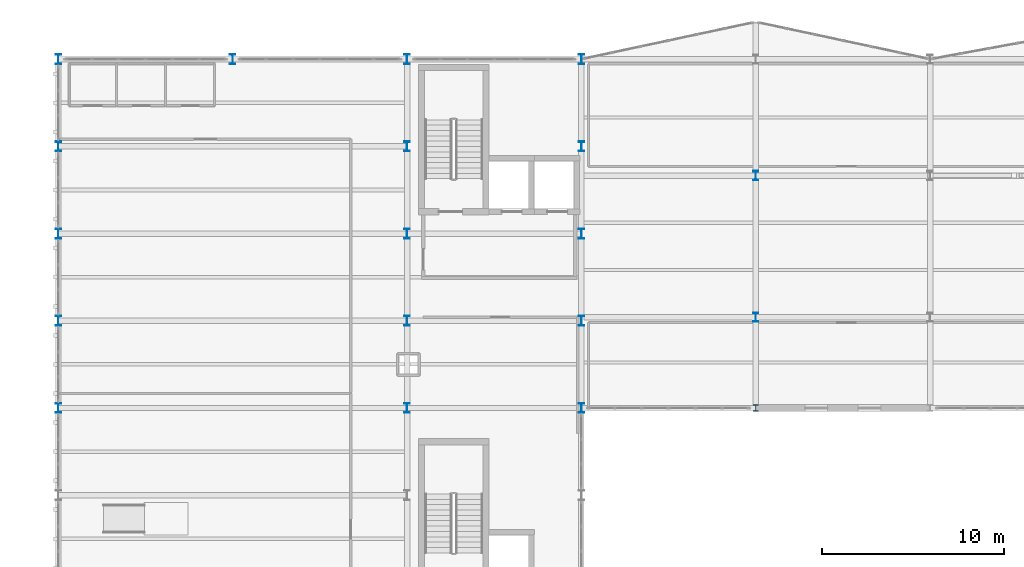
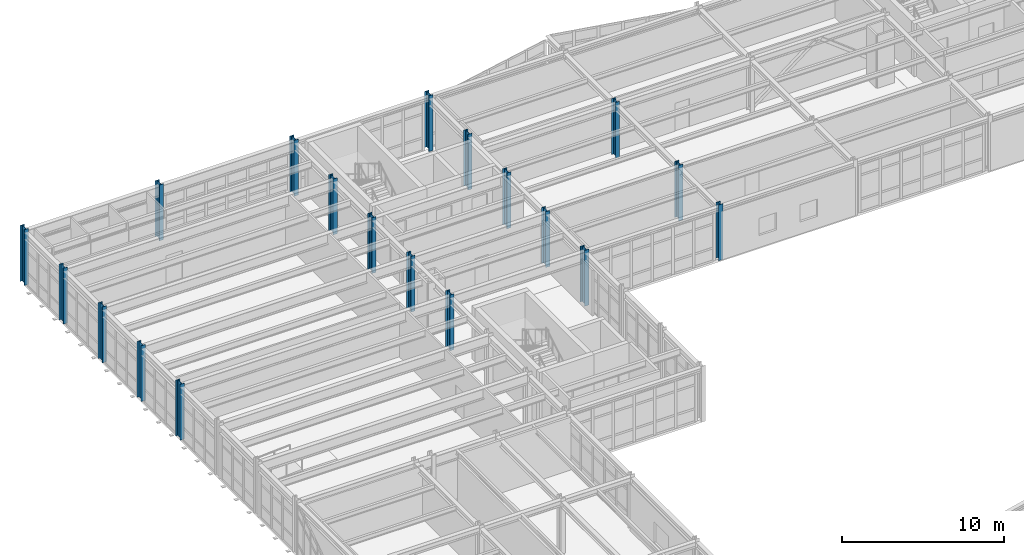
# One storey, part 6 of 76: 19 columns.
"""IFC4 building model written with IfcOpenShell, lengths in metres."""

from ifc_helpers import new_model, si_unit, direction, frame, origin, origin_2d, place, context, subcontext, project, spatial, i_section, extrude, material, material_profile, profile_set, type_object, element, save


model = new_model("IFC4")

# Units and contexts
model_context = context("Model", 3, precision=1e-05, world=origin(), true_north=direction((0.0, 1.0)))
body_context = subcontext(model_context, "Body", "Model", "MODEL_VIEW")
ifc_project = project(units=[si_unit("LENGTHUNIT", "METRE"), si_unit("AREAUNIT", "SQUARE_METRE"), si_unit("VOLUMEUNIT", "CUBIC_METRE"), si_unit("PLANEANGLEUNIT", "RADIAN"), si_unit("MASSUNIT", "GRAM", prefix="KILO")], contexts=[model_context])

# Site, building, storey
site_placement = place(None, origin())
site = spatial("IfcSite", under=ifc_project, at=site_placement, CompositionType="ELEMENT")
building_placement = place(site_placement, origin())
building = spatial("IfcBuilding", under=site, at=building_placement, Name="Nordkorset Police Headquarters", CompositionType="ELEMENT")
storey_placement = place(building_placement, frame((0.0, 0.0, 13.64990234375)))
storey = spatial("IfcBuildingStorey", under=building, at=storey_placement, Name="L03", CompositionType="ELEMENT", Elevation=13.64990234375)

# Columns
ifc_material_1 = material(Name="Steel S355J2", Category="steel")
ifc_material_profile_1 = material_profile(ifc_material_1, i_section(OverallWidth=0.300048828125, OverallDepth=0.340087890625, WebThickness=0.011962890625, FlangeThickness=0.021484375, FilletRadius=0.027099609375, at=origin_2d()), Name="HEB 340")
ifc_profile_set_1 = profile_set([ifc_material_profile_1], Name="Steel S355J2")
column_type_1 = type_object("IfcColumnType", Name="Col_HEB_340", PredefinedType="COLUMN", material=ifc_profile_set_1)
column_placement = place(storey_placement, frame((38.39990234375, 97.60009765625, 0.0), z_axis=(0.0, 0.0, 1.0), x_axis=(1.0, 0.0, 0.0)))
element("IfcColumn", 1, at=column_placement, inside=storey, type_object=column_type_1, Name="Structural Column V2_Y0_0 L03", PredefinedType="COLUMN", context=body_context, shape_type="SweptSolid", body=[
    extrude(i_section(OverallWidth=0.300048828125, OverallDepth=0.340087890625, WebThickness=0.011962890625, FlangeThickness=0.021484375, FilletRadius=0.027099609375, at=origin_2d()), origin(), (0.0, 0.0, 1.0), 4.2001953125),
])
ifc_material_2 = material(Name="Steel S355J2", Category="steel")
ifc_material_profile_2 = material_profile(ifc_material_2, i_section(OverallWidth=0.300048828125, OverallDepth=0.5, WebThickness=0.014404296875, FlangeThickness=0.028076171875, FilletRadius=0.027099609375, at=origin_2d()), Name="HEB 500")
ifc_profile_set_2 = profile_set([ifc_material_profile_2], Name="Steel S355J2")
column_type_2 = type_object("IfcColumnType", Name="Col_HEB_500", PredefinedType="COLUMN", material=ifc_profile_set_2)
for number, where, z_axis, x_axis, name in (
    (2, (38.39990234375, 102.60009765625, 0.0), (0.0, 0.0, 1.0), (1.0, 0.0, 0.0), "Structural Column V2_Y1_0 L03"),
    (3, (38.39990234375, 110.39990234375, 0.0), (0.0, 0.0, 1.0), (1.0, 0.0, 0.0), "Structural Column V2_Y2_0 L03"),
):
    element("IfcColumn", number, at=place(storey_placement, frame(where, z_axis=z_axis, x_axis=x_axis)), inside=storey, type_object=column_type_2, Name=name, PredefinedType="COLUMN", context=body_context, shape_type="SweptSolid", body=[
        extrude(i_section(OverallWidth=0.300048828125, OverallDepth=0.5, WebThickness=0.014404296875, FlangeThickness=0.028076171875, FilletRadius=0.027099609375, at=origin_2d()), origin(), (0.0, 0.0, 1.0), 4.2001953125),
    ])
ifc_material_3 = material(Name="Steel S355J2", Category="steel")
ifc_material_profile_3 = material_profile(ifc_material_3, i_section(OverallWidth=0.300048828125, OverallDepth=0.550048828125, WebThickness=0.014892578125, FlangeThickness=0.029052734375, FilletRadius=0.027099609375, at=origin_2d()), Name="HEB 550")
ifc_profile_set_3 = profile_set([ifc_material_profile_3], Name="Steel S355J2")
column_type_3 = type_object("IfcColumnType", Name="Col_HEB_550", PredefinedType="COLUMN", material=ifc_profile_set_3)
for number, where, z_axis, x_axis, name in (
    (4, (0.0, 97.60009765625, 0.0), (0.0, 0.0, 1.0), (1.0, 0.0, 0.0), "Structural Column V1_W_3 L03"),
    (5, (28.800048828125, 97.60009765625, 0.0), (0.0, 0.0, 1.0), (1.0, 0.0, 0.0), "Structural Column V1_E_3 L03"),
    (6, (0.0, 102.39990234375, 0.0), (0.0, 0.0, 1.0), (1.0, 0.0, 0.0), "Structural Column V1_W_4 L03"),
    (7, (28.800048828125, 102.39990234375, 0.0), (0.0, 0.0, 1.0), (1.0, 0.0, 0.0), "Structural Column V1_E_4 L03"),
    (8, (0.0, 107.199951171875, 0.0), (0.0, 0.0, 1.0), (1.0, 0.0, 0.0), "Structural Column V1_W_5 L03"),
    (9, (28.800048828125, 107.199951171875, 0.0), (0.0, 0.0, 1.0), (1.0, 0.0, 0.0), "Structural Column V1_E_5 L03"),
    (10, (0.0, 112.0, 0.0), (0.0, 0.0, 1.0), (1.0, 0.0, 0.0), "Structural Column V1_W_6 L03"),
    (11, (28.800048828125, 112.0, 0.0), (0.0, 0.0, 1.0), (1.0, 0.0, 0.0), "Structural Column V1_E_6 L03"),
    (12, (0.0, 116.800048828125, 0.0), (0.0, 0.0, 1.0), (1.0, 0.0, 0.0), "Structural Column V1_W_7 L03"),
    (13, (28.800048828125, 116.800048828125, 0.0), (0.0, 0.0, 1.0), (1.0, 0.0, 0.0), "Structural Column V1_E_7 L03"),
    (14, (9.60009765625, 116.800048828125, 0.0), (0.0, 0.0, 1.0), (1.0, 0.0, 0.0), "Structural Column V1_N_0 L03"),
    (15, (19.199951171875, 116.800048828125, 0.0), (0.0, 0.0, 1.0), (1.0, 0.0, 0.0), "Structural Column V1_N_1 L03"),
    (16, (19.199951171875, 97.60009765625, 0.0), (0.0, 0.0, 1.0), (1.0, 0.0, 0.0), "Structural Column V1_CW_2 L03"),
    (17, (19.199951171875, 102.39990234375, 0.0), (0.0, 0.0, 1.0), (1.0, 0.0, 0.0), "Structural Column V1_CW_3 L03"),
    (18, (19.199951171875, 107.199951171875, 0.0), (0.0, 0.0, 1.0), (1.0, 0.0, 0.0), "Structural Column V1_CW_4 L03"),
    (19, (19.199951171875, 112.0, 0.0), (0.0, 0.0, 1.0), (1.0, 0.0, 0.0), "Structural Column V1_CW_5 L03"),
):
    element("IfcColumn", number, at=place(storey_placement, frame(where, z_axis=z_axis, x_axis=x_axis)), inside=storey, type_object=column_type_3, Name=name, PredefinedType="COLUMN", context=body_context, shape_type="SweptSolid", body=[
        extrude(i_section(OverallWidth=0.300048828125, OverallDepth=0.550048828125, WebThickness=0.014892578125, FlangeThickness=0.029052734375, FilletRadius=0.027099609375, at=origin_2d()), origin(), (0.0, 0.0, 1.0), 4.2001953125),
    ])

save(model, "model.ifc")
